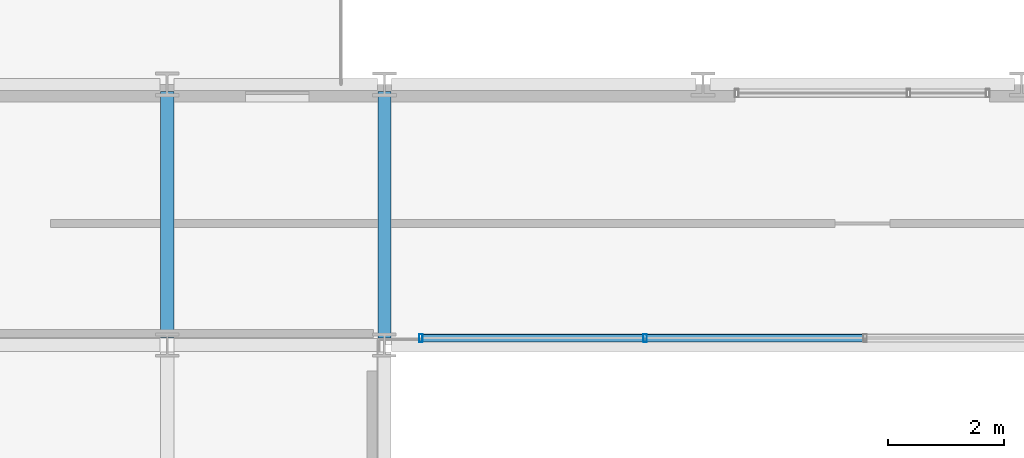
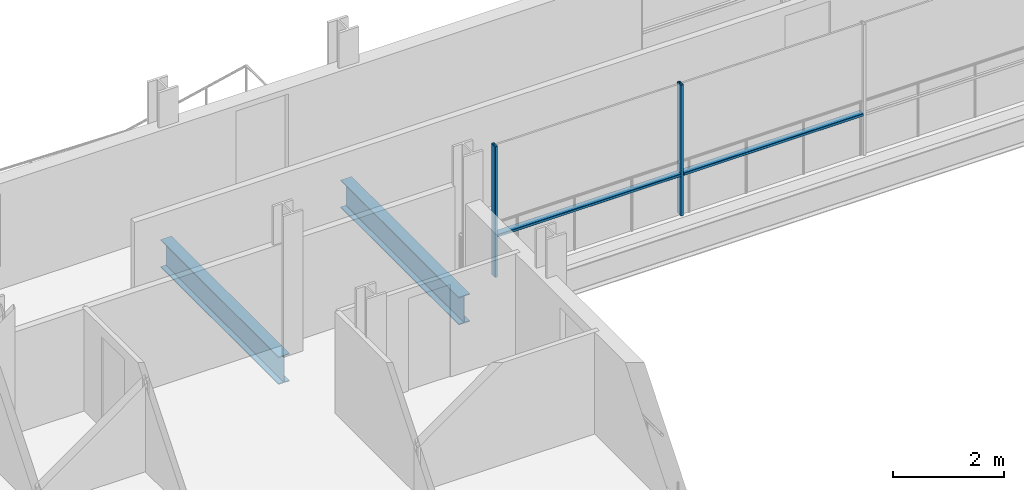
# One storey, part 9 of 40: 4 members, 2 beams, 1 element without a shape of its own.
"""IFC4 building model written with IfcOpenShell, lengths in metres."""

from ifc_helpers import new_model, si_unit, direction, frame, origin, origin_2d, place, context, subcontext, project, spatial, hollow_rectangle, i_section, extrude, material, layer, layer_set, material_profile, profile_set, type_object, element, aggregate, save


model = new_model("IFC4")

# Units and contexts
model_context = context("Model", 3, precision=1e-05, world=origin(), true_north=direction((0.0, 1.0)))
body_context = subcontext(model_context, "Body", "Model", "MODEL_VIEW")
ifc_project = project(units=[si_unit("LENGTHUNIT", "METRE"), si_unit("AREAUNIT", "SQUARE_METRE"), si_unit("VOLUMEUNIT", "CUBIC_METRE"), si_unit("PLANEANGLEUNIT", "RADIAN"), si_unit("MASSUNIT", "GRAM", prefix="KILO")], contexts=[model_context])

# Site, building, storey
site_placement = place(None, origin())
site = spatial("IfcSite", under=ifc_project, at=site_placement, CompositionType="ELEMENT")
building_placement = place(site_placement, origin())
building = spatial("IfcBuilding", under=site, at=building_placement, Name="Brevholm Reach", CompositionType="ELEMENT")
storey_placement = place(building_placement, frame((0.0, 0.0, 119.0)))
storey = spatial("IfcBuildingStorey", under=building, at=storey_placement, Name="L35", CompositionType="ELEMENT", Elevation=119.0)

# Beams
ifc_material_1 = material(Name="Structural Steel S355J2", Category="steel")
ifc_material_profile_1 = material_profile(ifc_material_1, i_section(OverallWidth=0.22900390625, OverallDepth=0.6123046875, WebThickness=0.011962890625, FlangeThickness=0.01953125, FilletRadius=0.0126953125, at=origin_2d()), Name="UKB 610x229x125")
ifc_profile_set_1 = profile_set([ifc_material_profile_1], Name="Structural Steel S355J2")
beam_type = type_object("IfcBeamType", Name="BM-SP610", PredefinedType="SPANDREL", material=ifc_profile_set_1)
for number, where, z_axis, x_axis, name in (
    (1, (18.0, 26.6201171875, -0.526123046875), (0.0, 1.0, 0.0), (-1.0, 0.0, 0.0), "L35 SP-01 Framing Beam"),
    (2, (21.75, 26.6201171875, -0.526123046875), (0.0, 1.0, 0.0), (-1.0, 0.0, 0.0), "L35 SP-01 Framing Beam"),
):
    element("IfcBeam", number, at=place(storey_placement, frame(where, z_axis=z_axis, x_axis=x_axis)), inside=storey, type_object=beam_type, Name=name, PredefinedType="SPANDREL", context=body_context, shape_type="SweptSolid", body=[
        extrude(i_section(OverallWidth=0.22900390625, OverallDepth=0.6123046875, WebThickness=0.011962890625, FlangeThickness=0.01953125, FilletRadius=0.0126953125, at=origin_2d()), origin(), (0.0, 0.0, 1.0), 4.259765625),
    ])

# Curtain wall, members
ifc_material_2 = material(Name="Dark Anodised Aluminium 6063-T6 and Solar-Control Glass", Category="aluminium")
ifc_layer = layer(ifc_material_2, 0.139892578125)
ifc_layer_set = layer_set([ifc_layer], Name="Dark Anodised Aluminium 6063-T6 and Solar-Control Glass")
curtain_wall_type = type_object("IfcCurtainWallType", Name="CW-02", PredefinedType="NOTDEFINED", material=ifc_layer_set)
curtain_wall_placement = place(storey_placement, origin())
curtain_wall = element("IfcCurtainWall", 3, at=curtain_wall_placement, inside=storey, type_object=curtain_wall_type, Name="L35 Curtain Wall CW-02", PredefinedType="NOTDEFINED")
ifc_material_3 = material(Name="Dark Anodised Aluminium 6063-T6", Category="aluminium")
ifc_material_profile_2 = material_profile(ifc_material_3, hollow_rectangle(XDim=0.06005859375, YDim=0.139892578125, WallThickness=0.0048828125, InnerFilletRadius=0.0048828125, OuterFilletRadius=0.010009765625, at=origin_2d()), Name="RHS 140x60x5")
ifc_profile_set_2 = profile_set([ifc_material_profile_2], Name="Dark Anodised Aluminium 6063-T6")
member_type_1 = type_object("IfcMemberType", Name="CWM-140", PredefinedType="MULLION", material=ifc_profile_set_2)
member_1_placement = place(storey_placement, frame((26.25, 26.6201171875, 0.0), z_axis=(0.0, 0.0, 1.0), x_axis=(-1.0, 0.0, 0.0)))
member_1 = element("IfcMember", 4, at=member_1_placement, type_object=member_type_1, Name="CM-140 Mullion 4", PredefinedType="MULLION", context=body_context, shape_type="SweptSolid", body=[
    extrude(hollow_rectangle(XDim=0.06005859375, YDim=0.139892578125, WallThickness=0.0048828125, InnerFilletRadius=0.0048828125, OuterFilletRadius=0.010009765625, at=origin_2d()), origin(), (0.0, 0.0, 1.0), 2.8798828125),
])
member_2_placement = place(storey_placement, frame((22.3798828125, 26.6201171875, 0.0), z_axis=(0.0, 0.0, 1.0), x_axis=(-1.0, 0.0, 0.0)))
member_2 = element("IfcMember", 5, at=member_2_placement, type_object=member_type_1, Name="CM-140 Mullion 5", PredefinedType="MULLION", context=body_context, shape_type="SweptSolid", body=[
    extrude(hollow_rectangle(XDim=0.06005859375, YDim=0.139892578125, WallThickness=0.0048828125, InnerFilletRadius=0.0048828125, OuterFilletRadius=0.010009765625, at=origin_2d()), origin(), (0.0, 0.0, 1.0), 2.8798828125),
])
ifc_material_4 = material(Name="Dark Anodised Aluminium 6063-T6", Category="aluminium")
ifc_material_profile_3 = material_profile(ifc_material_4, hollow_rectangle(XDim=0.06005859375, YDim=0.139892578125, WallThickness=0.0048828125, InnerFilletRadius=0.0048828125, OuterFilletRadius=0.010009765625, at=origin_2d()), Name="RHS 140x60x5")
ifc_profile_set_3 = profile_set([ifc_material_profile_3], Name="Dark Anodised Aluminium 6063-T6")
member_type_2 = type_object("IfcMemberType", Name="CWT-140", PredefinedType="NOTDEFINED", material=ifc_profile_set_3)
member_3_placement = place(storey_placement, frame((30.02001953125, 26.6201171875, 0.89990234375), z_axis=(-1.0, 0.0, 0.0), x_axis=(0.0, 0.0, 1.0)))
member_3 = element("IfcMember", 6, at=member_3_placement, type_object=member_type_2, Name="CT-140 Transom 3.1", ObjectType="TRANSOM", PredefinedType="USERDEFINED", context=body_context, shape_type="SweptSolid", body=[
    extrude(hollow_rectangle(XDim=0.06005859375, YDim=0.139892578125, WallThickness=0.0048828125, InnerFilletRadius=0.0048828125, OuterFilletRadius=0.010009765625, at=origin_2d()), origin(), (0.0, 0.0, 1.0), 3.739990234375),
])
member_4_placement = place(storey_placement, frame((26.219970703125, 26.6201171875, 0.89990234375), z_axis=(-1.0, 0.0, 0.0), x_axis=(0.0, 0.0, 1.0)))
member_4 = element("IfcMember", 7, at=member_4_placement, type_object=member_type_2, Name="CT-140 Transom 4.1", ObjectType="TRANSOM", PredefinedType="USERDEFINED", context=body_context, shape_type="SweptSolid", body=[
    extrude(hollow_rectangle(XDim=0.06005859375, YDim=0.139892578125, WallThickness=0.0048828125, InnerFilletRadius=0.0048828125, OuterFilletRadius=0.010009765625, at=origin_2d()), origin(), (0.0, 0.0, 1.0), 3.81005859375),
])
aggregate(curtain_wall, [member_1, member_2, member_3, member_4])

save(model, "model.ifc")
